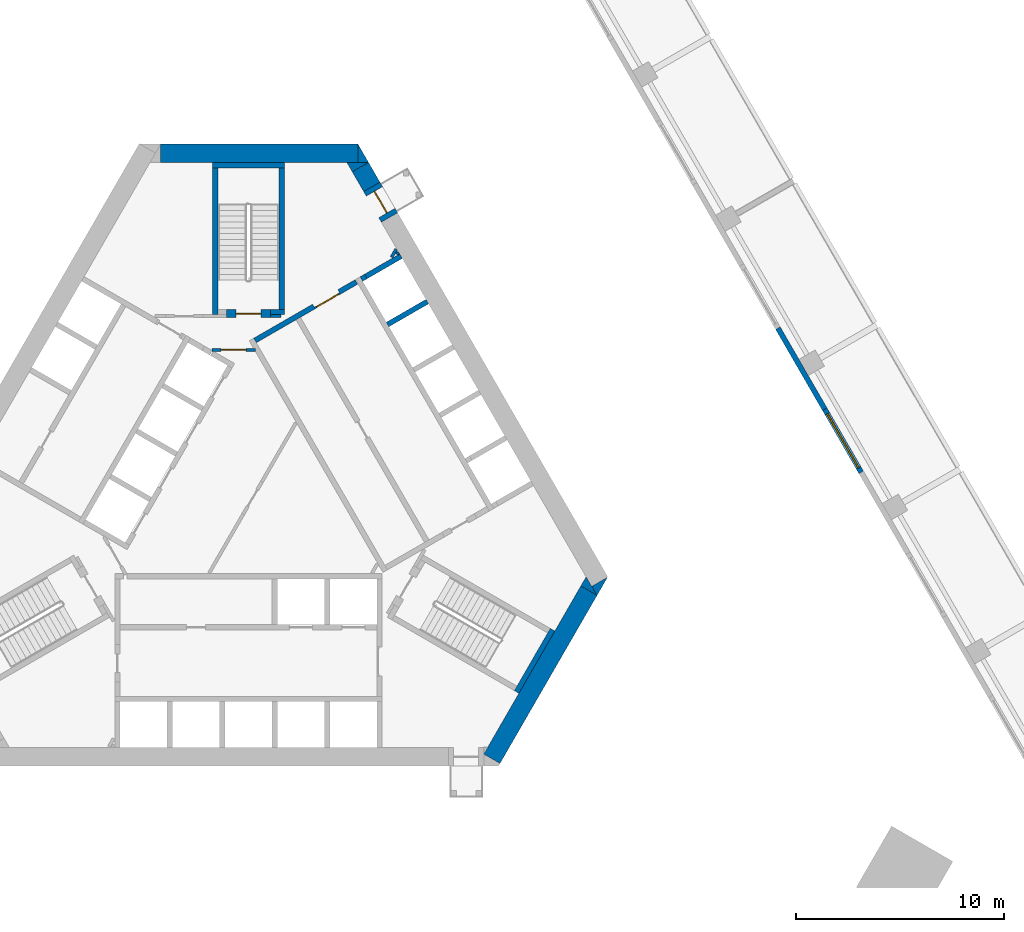
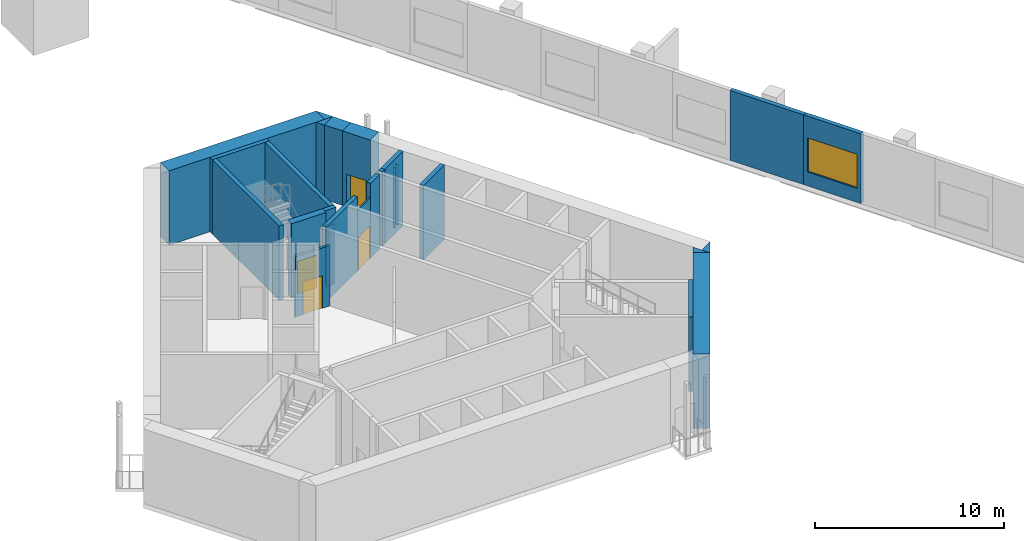
# One storey, part 11 of 28: 26 walls, 4 doors, 1 window, 5 openings.
"""IFC4 building model written with IfcOpenShell, lengths in metres."""

from ifc_helpers import new_model, si_unit, direction, frame, frame_2d, origin, place, context, subcontext, project, spatial, polyline, rectangle, outline, extrude, material, layer, layer_set, type_object, element, fill, save


model = new_model("IFC4")

# Units and contexts
model_context = context("Model", 3, precision=1e-05, world=origin(), true_north=direction((0.0, 1.0)))
body_context = subcontext(model_context, "Body", "Model", "MODEL_VIEW")
ifc_project = project(units=[si_unit("LENGTHUNIT", "METRE"), si_unit("AREAUNIT", "SQUARE_METRE"), si_unit("VOLUMEUNIT", "CUBIC_METRE"), si_unit("PLANEANGLEUNIT", "RADIAN"), si_unit("MASSUNIT", "GRAM", prefix="KILO")], contexts=[model_context])

# Site, building, storey
site_placement = place(None, origin())
site = spatial("IfcSite", under=ifc_project, at=site_placement, CompositionType="ELEMENT")
building_placement = place(site_placement, origin())
building = spatial("IfcBuilding", under=site, at=building_placement, Name="Mestral Congress Tower", CompositionType="ELEMENT")
storey_placement = place(building_placement, frame((0.0, 0.0, 11.39990234375)))
storey = spatial("IfcBuildingStorey", under=building, at=storey_placement, Name="L02", CompositionType="ELEMENT", Elevation=11.39990234375)

# Walls
ifc_material_1 = material(Name="Fire-rated board partition")
ifc_layer_1 = layer(ifc_material_1, 0.14990234375)
ifc_layer_set_1 = layer_set([ifc_layer_1], Name="Fire-rated board partition")
wall_type_1 = type_object("IfcWallType", Name="Core partition 150", PredefinedType="PARTITIONING", material=ifc_layer_set_1)
wall_1_placement = place(storey_placement, frame((1.050048828125, 8.62548828125, 0.0), z_axis=(0.0, 0.0, 1.0), x_axis=(1.0, 0.0, 0.0)))
element("IfcWall", 1, at=wall_1_placement, inside=storey, type_object=wall_type_1, Name="L02 core wall", PredefinedType="PARTITIONING", context=body_context, shape_type="SweptSolid", body=[
    extrude(rectangle(XDim=0.513916015625, YDim=0.14990234375, at=frame_2d((0.2568359375, 0.0))), origin(), (0.0, 0.0, 1.0), 3.900146484375),
])
wall_2_placement = place(storey_placement, frame((6.87158203125, 11.44970703125, 0.0), z_axis=(0.0, 0.0, 1.0), x_axis=(0.499846793097, 0.866113839764, 0.0)))
element("IfcWall", 2, at=wall_2_placement, inside=storey, type_object=wall_type_1, Name="L02 core wall", PredefinedType="PARTITIONING", context=body_context, shape_type="SweptSolid", body=[
    extrude(rectangle(XDim=0.453369140625, YDim=0.14990234375, at=frame_2d((0.2265625, 0.0))), origin(), (0.0, 0.0, 1.0), 3.900146484375),
])
wall_3_placement = place(storey_placement, frame((7.13134765625, 11.599609375, 0.0), z_axis=(0.0, 0.0, 1.0), x_axis=(0.498600033135, 0.866832167699, 0.0)))
element("IfcWall", 3, at=wall_3_placement, inside=storey, type_object=wall_type_1, Name="L02 core wall", PredefinedType="PARTITIONING", context=body_context, shape_type="SweptSolid", body=[
    extrude(rectangle(XDim=0.106689453125, YDim=0.14990234375, at=frame_2d((0.05322265625, 0.0))), origin(), (0.0, 0.0, 1.0), 3.900146484375),
])

# Wall, opening, door
wall_4_placement = place(storey_placement, frame((-1.765380859375, 7.0, 0.0), z_axis=(0.0, 0.0, 1.0), x_axis=(1.0, 0.0, 0.0)))
wall_4 = element("IfcWall", 4, at=wall_4_placement, inside=storey, type_object=wall_type_1, Name="L02 door wall", PredefinedType="PARTITIONING", context=body_context, shape_type="SweptSolid", body=[
    extrude(rectangle(XDim=2.10009765625, YDim=0.14990234375, at=frame_2d((1.050048828125, 0.0))), origin(), (0.0, 0.0, 1.0), 3.900146484375),
])
opening_1_placement = place(wall_4_placement, frame((0.449951171875, 0.0, 0.0)))
opening_1 = element("IfcOpeningElement", 5, at=opening_1_placement, cuts=wall_4, Name="Opening CD2-FF", PredefinedType="OPENING", context=body_context, shape_type="SweptSolid", body=[
    extrude(rectangle(XDim=1.199951171875, YDim=2.10009765625, at=frame_2d((0.60009765625, 1.050048828125))), frame((0.0, 0.0849609375, 0.0), z_axis=(0.0, -1.0, 0.0), x_axis=(1.0, 0.0, 0.0)), (0.0, 0.0, 1.0), 0.169921875),
])
ifc_material_2 = material(Name="Fire-rated steel door set", Category="steel")
door_type_1 = type_object("IfcDoorType", Name="Core door CD 1200x2100", OperationType="SINGLE_SWING_LEFT", PredefinedType="DOOR", material=ifc_material_2)
door_1_placement = place(opening_1_placement, origin())
door_1 = element("IfcDoor", 6, at=door_1_placement, inside=storey, type_object=door_type_1, Name="Door CD2-FF", OperationType="SINGLE_SWING_LEFT", OverallHeight=2.10009765625, OverallWidth=1.199951171875, PredefinedType="DOOR", context=body_context, shape_type="SweptSolid", body=[
    extrude(rectangle(XDim=1.199951171875, YDim=2.10009765625, at=frame_2d((0.60009765625, 1.050048828125))), frame((0.0, 0.02490234375, 0.0), z_axis=(0.0, -1.0, 0.0), x_axis=(1.0, 0.0, 0.0)), (0.0, 0.0, 1.0), 0.050048828125),
])
fill(opening_1, door_1)

ifc_layer_2 = layer(ifc_material_1, 0.090087890625)
ifc_layer_set_2 = layer_set([ifc_layer_2], Name="Fire-rated board partition")
wall_type_2 = type_object("IfcWallType", Name="Core partition 150 door-wall 90", PredefinedType="PARTITIONING", material=ifc_layer_set_2)
wall_5_placement = place(storey_placement, frame((3.182861328125, 9.02001953125, 0.0), z_axis=(0.0, 0.0, 1.0), x_axis=(0.866034573852, 0.49998411664, 0.0)))
wall_5 = element("IfcWall", 7, at=wall_5_placement, inside=storey, type_object=wall_type_2, Name="L02 door wall", PredefinedType="PARTITIONING", context=body_context, shape_type="SweptSolid", body=[
    extrude(rectangle(XDim=1.39990234375, YDim=0.090087890625, at=frame_2d((0.699951171875, 0.0))), origin(), (0.0, 0.0, 1.0), 3.900146484375),
])
opening_2_placement = place(wall_5_placement, frame((0.10009765625, 0.0, 0.0)))
opening_2 = element("IfcOpeningElement", 8, at=opening_2_placement, cuts=wall_5, Name="Opening LB1-WL2", PredefinedType="OPENING", context=body_context, shape_type="SweptSolid", body=[
    extrude(rectangle(XDim=1.199951171875, YDim=2.10009765625, at=frame_2d((0.60009765625, 1.050048828125))), frame((0.0, 0.054931640625, 0.0), z_axis=(0.0, -1.0, 0.0), x_axis=(1.0, 0.0, 0.0)), (0.0, 0.0, 1.0), 0.110107421875),
])
door_type_2 = type_object("IfcDoorType", Name="Core door LB 1200x2100", OperationType="SINGLE_SWING_LEFT", PredefinedType="DOOR", material=ifc_material_2)
door_2_placement = place(opening_2_placement, origin())
door_2 = element("IfcDoor", 9, at=door_2_placement, inside=storey, type_object=door_type_2, Name="Door LB1-WL2", OperationType="SINGLE_SWING_LEFT", OverallHeight=2.10009765625, OverallWidth=1.199951171875, PredefinedType="DOOR", context=body_context, shape_type="SweptSolid", body=[
    extrude(rectangle(XDim=1.199951171875, YDim=2.10009765625, at=frame_2d((0.60009765625, 1.050048828125))), frame((0.0, 0.02490234375, 0.0), z_axis=(0.0, -1.0, 0.0), x_axis=(1.0, 0.0, 0.0)), (0.0, 0.0, 1.0), 0.050048828125),
])
fill(opening_2, door_2)

# Walls
ifc_material_3 = material(Name="Concrete C60/75", Category="concrete")
ifc_layer_3 = layer(ifc_material_3, 0.89990234375)
ifc_layer_set_3 = layer_set([ifc_layer_3], Name="Concrete C60/75")
wall_type_3 = type_object("IfcWallType", Name="Core wall RC 900", PredefinedType="SOLIDWALL", material=ifc_layer_set_3)
placement = place(storey_placement, origin())
element("IfcWall", 10, at=placement, inside=storey, type_object=wall_type_3, Name="L02 core wall", PredefinedType="SOLIDWALL", context=body_context, shape_type="SweptSolid", body=[
    extrude(outline(polyline([(16.7431640625, -4.800048828125), (16.4892578125, -4.360107421875), (17.251220703125, -3.920166015625), (16.7431640625, -4.800048828125)])), origin(), (0.0, 0.0, 1.0), 4.800048828125),
])
wall_7_placement = place(storey_placement, frame((11.69482421875, -12.643798828125, 0.0), z_axis=(0.0, 0.0, 1.0), x_axis=(0.500010229568, 0.86601949766, 0.0)))
element("IfcWall", 11, at=wall_7_placement, inside=storey, type_object=wall_type_3, Name="L02 core wall", PredefinedType="SOLIDWALL", context=body_context, shape_type="SweptSolid", body=[
    extrude(rectangle(XDim=9.326416015625, YDim=0.89990234375, at=frame_2d((4.6630859375, 0.0))), origin(), (0.0, 0.0, 1.0), 4.800048828125),
])
element("IfcWall", 12, at=placement, inside=storey, type_object=wall_type_3, Name="L02 core wall", PredefinedType="SOLIDWALL", context=body_context, shape_type="SweptSolid", body=[
    extrude(outline(polyline([(16.223388671875, -3.900146484375), (16.731689453125, -4.780029296875), (15.969482421875, -4.340087890625), (16.223388671875, -3.900146484375)])), origin(), (0.0, 0.0, 1.0), 4.800048828125),
])
wall_9_placement = place(storey_placement, frame((-4.224365234375, 16.449951171875, 0.0), z_axis=(0.0, 0.0, 1.0), x_axis=(1.0, 0.0, 0.0)))
element("IfcWall", 13, at=wall_9_placement, inside=storey, type_object=wall_type_3, Name="L02 core wall", PredefinedType="SOLIDWALL", context=body_context, shape_type="SweptSolid", body=[
    extrude(rectangle(XDim=9.48779296875, YDim=0.89990234375, at=frame_2d((4.743896484375, 0.0))), origin(), (0.0, 0.0, 1.0), 4.800048828125),
])
element("IfcWall", 14, at=placement, inside=storey, type_object=wall_type_3, Name="L02 core wall", PredefinedType="SOLIDWALL", context=body_context, shape_type="SweptSolid", body=[
    extrude(outline(polyline([(5.265380859375, 16.0), (5.265380859375, 16.8798828125), (5.7734375, 16.0), (5.265380859375, 16.0)])), origin(), (0.0, 0.0, 1.0), 4.800048828125),
])
wall_11_placement = place(storey_placement, frame((5.92578125, 14.836181640625, 0.0), z_axis=(0.0, 0.0, 1.0), x_axis=(-0.500076735116, 0.865981096212, 0.0)))
element("IfcWall", 15, at=wall_11_placement, inside=storey, type_object=wall_type_3, Name="L02 core wall", PredefinedType="SOLIDWALL", context=body_context, shape_type="SweptSolid", body=[
    extrude(rectangle(XDim=1.093505859375, YDim=0.89990234375, at=frame_2d((0.546875, 0.0))), origin(), (0.0, 0.0, 1.0), 4.800048828125),
])
element("IfcWall", 16, at=placement, inside=storey, type_object=wall_type_3, Name="L02 core wall", PredefinedType="SOLIDWALL", context=body_context, shape_type="SweptSolid", body=[
    extrude(outline(polyline([(4.734375, 16.0), (5.750244140625, 16.0), (4.98828125, 15.56005859375), (4.734375, 16.0)])), origin(), (0.0, 0.0, 1.0), 4.800048828125),
])

# Wall, opening, door
wall_13_placement = place(storey_placement, frame((5.92578125, 14.836181640625, 0.0), z_axis=(0.0, 0.0, 1.0), x_axis=(0.500062241894, -0.865989465428, 0.0)))
wall_13 = element("IfcWall", 17, at=wall_13_placement, inside=storey, type_object=wall_type_3, Name="L02 door wall", PredefinedType="SOLIDWALL", context=body_context, shape_type="SweptSolid", body=[
    extrude(rectangle(XDim=1.699951171875, YDim=0.89990234375, at=frame_2d((0.85009765625, 0.0))), origin(), (0.0, 0.0, 1.0), 4.800048828125),
])
opening_3_placement = place(wall_13_placement, frame((0.25, 0.0, 0.0)))
opening_3 = element("IfcOpeningElement", 18, at=opening_3_placement, cuts=wall_13, Name="Opening XD2", PredefinedType="OPENING", context=body_context, shape_type="SweptSolid", body=[
    extrude(rectangle(XDim=1.199951171875, YDim=2.10009765625, at=frame_2d((0.60009765625, 1.050048828125))), frame((0.0, 0.4599609375, 0.0), z_axis=(0.0, -1.0, 0.0), x_axis=(1.0, 0.0, 0.0)), (0.0, 0.0, 1.0), 0.919921875),
])
door_type_3 = type_object("IfcDoorType", Name="Core door XD 1200x2100", OperationType="SINGLE_SWING_LEFT", PredefinedType="DOOR", material=ifc_material_2)
door_3_placement = place(opening_3_placement, origin())
door_3 = element("IfcDoor", 19, at=door_3_placement, inside=storey, type_object=door_type_3, Name="Door XD2", OperationType="SINGLE_SWING_LEFT", OverallHeight=2.10009765625, OverallWidth=1.199951171875, PredefinedType="DOOR", context=body_context, shape_type="SweptSolid", body=[
    extrude(rectangle(XDim=1.199951171875, YDim=2.10009765625, at=frame_2d((0.60009765625, 1.050048828125))), frame((0.0, 0.02490234375, 0.0), z_axis=(0.0, -1.0, 0.0), x_axis=(1.0, 0.0, 0.0)), (0.0, 0.0, 1.0), 0.050048828125),
])
fill(opening_3, door_3)

# Wall, opening, window
ifc_material_4 = material(Name="Precast concrete C40/50 with limestone facing", Category="masonry")
ifc_layer_4 = layer(ifc_material_4, 0.25)
ifc_layer_set_4 = layer_set([ifc_layer_4], Name="Precast concrete C40/50 with limestone facing")
wall_type_4 = type_object("IfcWallType", Name="Podium external wall 250", PredefinedType="SOLIDWALL", material=ifc_layer_set_4)
wall_14_placement = place(storey_placement, frame((29.4375, 1.11865234375, 0.0), z_axis=(0.0, 0.0, 1.0), x_axis=(-0.499980071345, 0.866036909293, 0.0)))
wall_14 = element("IfcWall", 20, at=wall_14_placement, inside=storey, type_object=wall_type_4, Name="L02 external wall", PredefinedType="SOLIDWALL", context=body_context, shape_type="SweptSolid", body=[
    extrude(rectangle(XDim=3.500244140625, YDim=0.25, at=frame_2d((1.75, 0.0))), origin(), (0.0, 0.0, 1.0), 4.5),
])
opening_4_placement = place(wall_14_placement, frame((0.25, 0.0, 0.89990234375)))
opening_4 = element("IfcOpeningElement", 21, at=opening_4_placement, cuts=wall_14, Name="Opening PW-3000x2200", PredefinedType="OPENING", context=body_context, shape_type="SweptSolid", body=[
    extrude(rectangle(XDim=3.0, YDim=2.199951171875, at=frame_2d((1.5, 1.10009765625))), frame((0.0, 0.135009765625, 0.0), z_axis=(0.0, -1.0, 0.0), x_axis=(1.0, 0.0, 0.0)), (0.0, 0.0, 1.0), 0.27001953125),
])
ifc_material_5 = material(Name="Aluminium frame, clear double glazing", Category="aluminium")
window_type = type_object("IfcWindowType", Name="Podium window 3000x2200 sill 900", PartitioningType="SINGLE_PANEL", PredefinedType="WINDOW", material=ifc_material_5)
window_placement = place(opening_4_placement, origin())
window = element("IfcWindow", 22, at=window_placement, inside=storey, type_object=window_type, Name="Window", OverallHeight=2.199951171875, OverallWidth=3.0, PartitioningType="SINGLE_PANEL", PredefinedType="WINDOW", context=body_context, shape_type="SweptSolid", body=[
    extrude(rectangle(XDim=3.0, YDim=2.199951171875, at=frame_2d((1.5, 1.10009765625))), frame((0.0, 0.030029296875, 0.0), z_axis=(0.0, -1.0, 0.0), x_axis=(1.0, 0.0, 0.0)), (0.0, 0.0, 1.0), 0.06005859375),
])
fill(opening_4, window)

# Walls
wall_15_placement = place(storey_placement, frame((27.6875, 4.14990234375, 0.0), z_axis=(0.0, 0.0, 1.0), x_axis=(-0.500013631625, 0.866017533419, 0.0)))
element("IfcWall", 23, at=wall_15_placement, inside=storey, type_object=wall_type_4, Name="L02 external wall", PredefinedType="SOLIDWALL", context=body_context, shape_type="SweptSolid", body=[
    extrude(rectangle(XDim=4.499755859375, YDim=0.25, at=frame_2d((2.25, 0.0))), origin(), (0.0, 0.0, 1.0), 4.5),
])
ifc_layer_5 = layer(ifc_material_3, 0.25)
ifc_layer_set_5 = layer_set([ifc_layer_5], Name="Concrete C60/75")
wall_type_5 = type_object("IfcWallType", Name="Shaft wall RC 250", PredefinedType="SOLIDWALL", material=ifc_layer_set_5)
wall_16_placement = place(storey_placement, frame((4.3583984375, 9.791015625, 0.0), z_axis=(0.0, 0.0, 1.0), x_axis=(0.866100000774, 0.49987077196, 0.0)))
element("IfcWall", 24, at=wall_16_placement, inside=storey, type_object=wall_type_5, Name="L02 core wall", PredefinedType="SOLIDWALL", context=body_context, shape_type="SweptSolid", body=[
    extrude(rectangle(XDim=0.949951171875, YDim=0.25, at=frame_2d((0.47509765625, 0.0))), origin(), (0.0, 0.0, 1.0), 4.800048828125),
])
wall_17_placement = place(storey_placement, frame((0.314208984375, 7.455810546875, 0.0), z_axis=(0.0, 0.0, 1.0), x_axis=(0.866013897511, 0.50001992892, 0.0)))
element("IfcWall", 25, at=wall_17_placement, inside=storey, type_object=wall_type_5, Name="L02 core wall", PredefinedType="SOLIDWALL", context=body_context, shape_type="SweptSolid", body=[
    extrude(rectangle(XDim=3.267822265625, YDim=0.25, at=frame_2d((1.6337890625, 0.0))), origin(), (0.0, 0.0, 1.0), 4.800048828125),
])
wall_18_placement = place(storey_placement, frame((5.469482421875, 10.57666015625, 0.0), z_axis=(0.0, 0.0, 1.0), x_axis=(0.499919672301, -0.866071776036, 0.0)))
element("IfcWall", 26, at=wall_18_placement, inside=storey, type_object=wall_type_5, Name="L02 core wall", PredefinedType="SOLIDWALL", context=body_context, shape_type="SweptSolid", body=[
    extrude(rectangle(XDim=0.25, YDim=0.25, at=frame_2d((0.125, 0.0))), origin(), (0.0, 0.0, 1.0), 4.800048828125),
])
wall_19_placement = place(storey_placement, frame((5.64013671875, 10.531005859375, 0.0), z_axis=(0.0, 0.0, 1.0), x_axis=(0.866000020948, 0.500043961785, 0.0)))
element("IfcWall", 27, at=wall_19_placement, inside=storey, type_object=wall_type_5, Name="L02 core wall", PredefinedType="SOLIDWALL", context=body_context, shape_type="SweptSolid", body=[
    extrude(rectangle(XDim=1.949951171875, YDim=0.25, at=frame_2d((0.97509765625, 0.0))), origin(), (0.0, 0.0, 1.0), 4.800048828125),
])
wall_20_placement = place(storey_placement, frame((8.5888671875, 9.323486328125, 0.0), z_axis=(0.0, 0.0, 1.0), x_axis=(-0.866008176907, -0.50002983664, 0.0)))
element("IfcWall", 28, at=wall_20_placement, inside=storey, type_object=wall_type_5, Name="L02 core wall", PredefinedType="SOLIDWALL", context=body_context, shape_type="SweptSolid", body=[
    extrude(rectangle(XDim=2.199951171875, YDim=0.25, at=frame_2d((1.10009765625, 0.0))), origin(), (0.0, 0.0, 1.0), 4.800048828125),
])
ifc_layer_6 = layer(ifc_material_3, 0.25)
ifc_layer_set_6 = layer_set([ifc_layer_6], Name="Concrete C60/75")
wall_type_6 = type_object("IfcWallType", Name="Stair wall RC 250", PredefinedType="SOLIDWALL", material=ifc_layer_set_6)
wall_21_placement = place(storey_placement, frame((12.885498046875, -9.431396484375, 0.0), z_axis=(0.0, 0.0, 1.0), x_axis=(0.500020560727, 0.866013532718, 0.0)))
element("IfcWall", 29, at=wall_21_placement, inside=storey, type_object=wall_type_6, Name="L02 core wall", PredefinedType="SOLIDWALL", context=body_context, shape_type="SweptSolid", body=[
    extrude(rectangle(XDim=3.449951171875, YDim=0.25, at=frame_2d((1.72509765625, 0.0))), origin(), (0.0, 0.0, 1.0), 4.800048828125),
])
wall_22_placement = place(storey_placement, frame((-1.72509765625, 15.875, 0.0), z_axis=(0.0, 0.0, 1.0), x_axis=(1.0, 0.0, 0.0)))
element("IfcWall", 30, at=wall_22_placement, inside=storey, type_object=wall_type_6, Name="L02 core wall", PredefinedType="SOLIDWALL", context=body_context, shape_type="SweptSolid", body=[
    extrude(rectangle(XDim=3.4501953125, YDim=0.25, at=frame_2d((1.72509765625, 0.0))), origin(), (0.0, 0.0, 1.0), 4.800048828125),
])
wall_23_placement = place(storey_placement, frame((1.60009765625, 8.949951171875, 0.0), z_axis=(0.0, 0.0, 1.0), x_axis=(0.0, 1.0, 0.0)))
element("IfcWall", 31, at=wall_23_placement, inside=storey, type_object=wall_type_6, Name="L02 core wall", PredefinedType="SOLIDWALL", context=body_context, shape_type="SweptSolid", body=[
    extrude(rectangle(XDim=6.800048828125, YDim=0.25, at=frame_2d((3.39990234375, 0.0))), origin(), (0.0, 0.0, 1.0), 4.800048828125),
])
wall_24_placement = place(storey_placement, frame((1.050048828125, 8.824951171875, 0.0), z_axis=(0.0, 0.0, 1.0), x_axis=(1.0, 0.0, 0.0)))
element("IfcWall", 32, at=wall_24_placement, inside=storey, type_object=wall_type_6, Name="L02 core wall", PredefinedType="SOLIDWALL", context=body_context, shape_type="SweptSolid", body=[
    extrude(rectangle(XDim=0.675048828125, YDim=0.25, at=frame_2d((0.33740234375, 0.0))), origin(), (0.0, 0.0, 1.0), 4.800048828125),
])
wall_25_placement = place(storey_placement, frame((-1.60009765625, 8.699951171875, 0.0), z_axis=(0.0, 0.0, 1.0), x_axis=(0.0, 1.0, 0.0)))
element("IfcWall", 33, at=wall_25_placement, inside=storey, type_object=wall_type_6, Name="L02 core wall", PredefinedType="SOLIDWALL", context=body_context, shape_type="SweptSolid", body=[
    extrude(rectangle(XDim=7.050048828125, YDim=0.25, at=frame_2d((3.52490234375, 0.0))), origin(), (0.0, 0.0, 1.0), 4.800048828125),
])

# Wall, opening, door
ifc_layer_7 = layer(ifc_material_3, 0.39990234375)
ifc_layer_set_7 = layer_set([ifc_layer_7], Name="Concrete C60/75")
wall_type_7 = type_object("IfcWallType", Name="Stair wall RC 250 door-wall 400", PredefinedType="SOLIDWALL", material=ifc_layer_set_7)
wall_26_placement = place(storey_placement, frame((1.050048828125, 8.75, 0.0), z_axis=(0.0, 0.0, 1.0), x_axis=(-1.0, 0.0, 0.0)))
wall_26 = element("IfcWall", 34, at=wall_26_placement, inside=storey, type_object=wall_type_7, Name="L02 door wall", PredefinedType="SOLIDWALL", context=body_context, shape_type="SweptSolid", body=[
    extrude(rectangle(XDim=2.10009765625, YDim=0.39990234375, at=frame_2d((1.050048828125, 0.0))), origin(), (0.0, 0.0, 1.0), 4.800048828125),
])
opening_5_placement = place(wall_26_placement, frame((0.449951171875, 0.0, 0.0)))
opening_5 = element("IfcOpeningElement", 35, at=opening_5_placement, cuts=wall_26, Name="Opening ST-D2", PredefinedType="OPENING", context=body_context, shape_type="SweptSolid", body=[
    extrude(rectangle(XDim=1.199951171875, YDim=2.10009765625, at=frame_2d((0.60009765625, 1.050048828125))), frame((0.0, 0.2099609375, 0.0), z_axis=(0.0, -1.0, 0.0), x_axis=(1.0, 0.0, 0.0)), (0.0, 0.0, 1.0), 0.419921875),
])
door_type_4 = type_object("IfcDoorType", Name="Core door ST 1200x2100", OperationType="SINGLE_SWING_LEFT", PredefinedType="DOOR", material=ifc_material_2)
door_4_placement = place(opening_5_placement, origin())
door_4 = element("IfcDoor", 36, at=door_4_placement, inside=storey, type_object=door_type_4, Name="Door ST-D2", OperationType="SINGLE_SWING_LEFT", OverallHeight=2.10009765625, OverallWidth=1.199951171875, PredefinedType="DOOR", context=body_context, shape_type="SweptSolid", body=[
    extrude(rectangle(XDim=1.199951171875, YDim=2.10009765625, at=frame_2d((0.60009765625, 1.050048828125))), frame((0.0, 0.02490234375, 0.0), z_axis=(0.0, -1.0, 0.0), x_axis=(1.0, 0.0, 0.0)), (0.0, 0.0, 1.0), 0.050048828125),
])
fill(opening_5, door_4)

save(model, "model.ifc")
